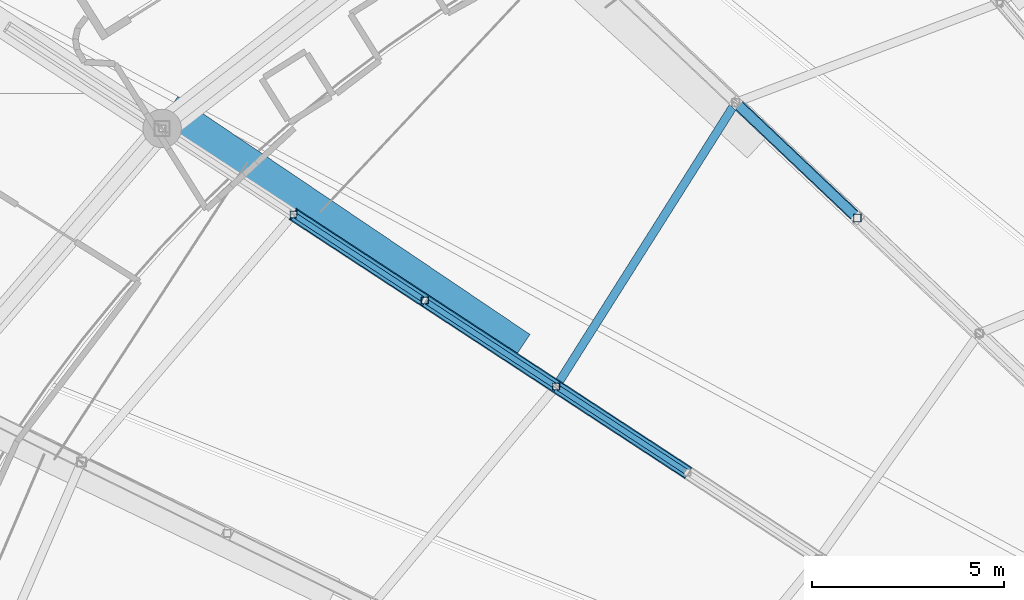
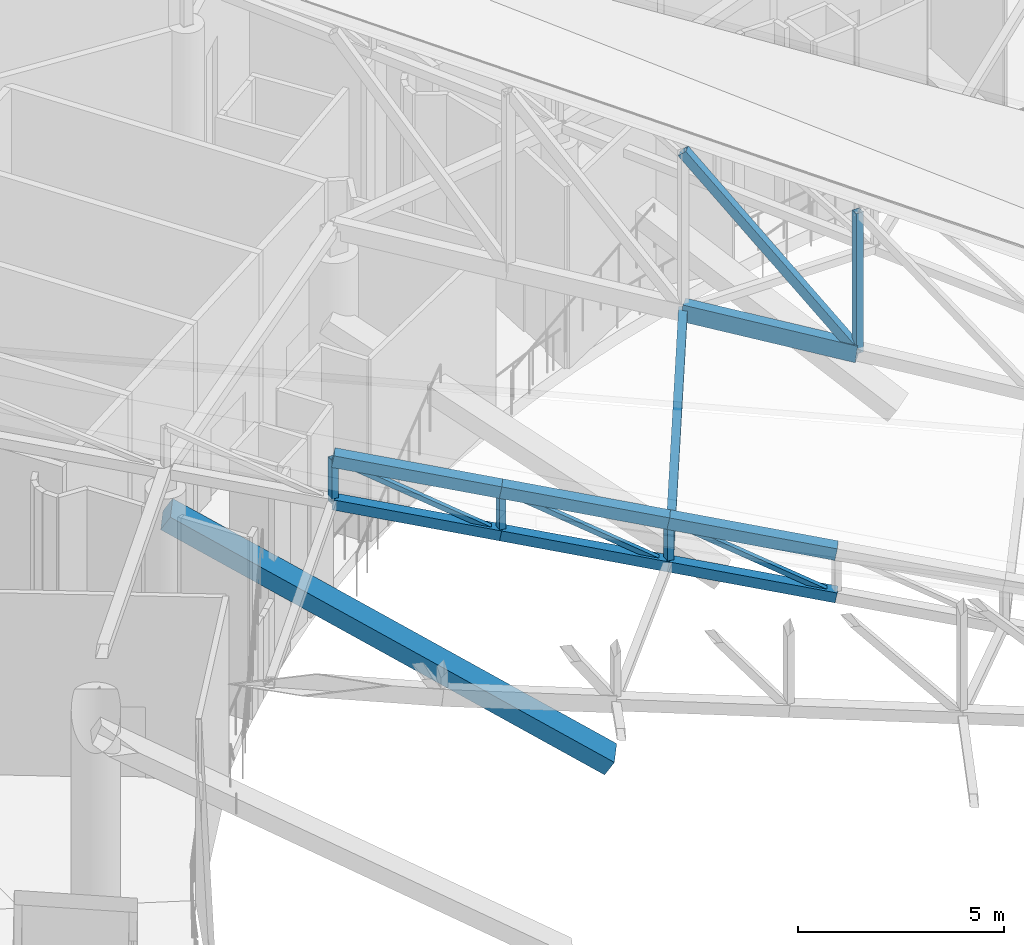
# One storey, part 136 of 344: 16 members, 1 beam.
"""IFC4 building model written with IfcOpenShell, lengths in metres."""

import ifcopenshell
import ifcopenshell.guid

model = None  # the IFC model being written
_history = None  # IfcOwnerHistory: only IFC2X3 demands one
_inside = {}  # id of a spatial element -> (the spatial element, [elements in it])
_under = {}  # id of a project, library or spatial element -> (it, [spatial elements below it])
_declared = {}  # id of a project -> (the project, [libraries it declares])
_typed = {}  # id of a type object -> (the type object, [elements of that type])
_made_of = {}  # id of a material, layer set ... -> (it, [elements and type objects made of it])


def new_model(schema):
    """Start an empty IFC model of exactly this schema.

    Asked for "IFC4X3", IfcOpenShell would pick the latest addendum, in which some entities
    have other attributes; the version numbers below select the first issue.
    IFC2X3 requires an IfcOwnerHistory on every rooted entity: one is made here for all.
    """
    global model, _history
    if schema == "IFC4X3":
        model = ifcopenshell.file(schema_version=(4, 3, 0, 0))
    else:
        model = ifcopenshell.file(schema=schema)
    _inside.clear()
    _under.clear()
    _declared.clear()
    _typed.clear()
    _made_of.clear()
    _history = None
    if model.schema == "IFC2X3":
        org = make("IfcOrganization", Name="unknown")
        user = make(
            "IfcPersonAndOrganization",
            ThePerson=make("IfcPerson", FamilyName="unknown"),
            TheOrganization=org,
        )
        app = make(
            "IfcApplication",
            ApplicationDeveloper=org,
            Version="unknown",
            ApplicationFullName="unknown",
            ApplicationIdentifier="unknown",
        )
        _history = make(
            "IfcOwnerHistory",
            OwningUser=user,
            OwningApplication=app,
            ChangeAction="ADDED",
            CreationDate=0,
        )
    return model


def make(cls, **values):
    """One entity of the class cls with the attributes given. An attribute that is None is left unset."""
    return model.create_entity(
        cls, **{name: value for name, value in values.items() if value is not None}
    )


def rooted(cls, **values):
    """An entity with a GlobalId (a new one), such as an element, a storey or a relation."""
    return make(cls, GlobalId=ifcopenshell.guid.new(), OwnerHistory=_history, **values)


def si_unit(unit_type, name, prefix=None):
    """IfcSIUnit, for example si_unit("LENGTHUNIT", "METRE", prefix="MILLI")."""
    return make("IfcSIUnit", UnitType=unit_type, Prefix=prefix, Name=name)


def assignment(units):
    """IfcUnitAssignment: the units of a project."""
    return None if units is None else make("IfcUnitAssignment", Units=units)


def point(xyz):
    """IfcCartesianPoint."""
    return None if xyz is None else make("IfcCartesianPoint", Coordinates=xyz)


def direction(xyz):
    """IfcDirection."""
    return None if xyz is None else make("IfcDirection", DirectionRatios=xyz)


def frame(location, z_axis=None, x_axis=None):
    """IfcAxis2Placement3D, a coordinate frame: its origin and axes. An axis left out is left unset."""
    return make(
        "IfcAxis2Placement3D",
        Location=point(location),
        Axis=direction(z_axis),
        RefDirection=direction(x_axis),
    )


def frame_2d(location, x_axis=None):
    """IfcAxis2Placement2D, a coordinate frame in the plane: its origin and x axis."""
    return make(
        "IfcAxis2Placement2D", Location=point(location), RefDirection=direction(x_axis)
    )


def origin():
    """The frame at (0, 0, 0) with its axes left unset."""
    return frame((0.0, 0.0, 0.0))


def origin_2d():
    """The frame at (0, 0) in the plane with its x axis left unset."""
    return frame_2d((0.0, 0.0))


def place(relative_to, where):
    """IfcLocalPlacement: puts the frame where relative to a parent placement (None: the world)."""
    return make(
        "IfcLocalPlacement", PlacementRelTo=relative_to, RelativePlacement=where
    )


def context(
    kind, dimensions, precision=None, world=None, true_north=None, identifier=None
):
    """IfcGeometricRepresentationContext, for example the 3D "Model" context."""
    return make(
        "IfcGeometricRepresentationContext",
        ContextIdentifier=identifier,
        ContextType=kind,
        CoordinateSpaceDimension=dimensions,
        Precision=precision,
        WorldCoordinateSystem=world,
        TrueNorth=true_north,
    )


def subcontext(parent, identifier, kind, view, scale=None):
    """IfcGeometricRepresentationSubContext, for example "Body" below "Model"."""
    return make(
        "IfcGeometricRepresentationSubContext",
        ContextIdentifier=identifier,
        ContextType=kind,
        ParentContext=parent,
        TargetScale=scale,
        TargetView=view,
    )


def project(units=None, contexts=None):
    """IfcProject with its units and contexts."""
    return rooted(
        "IfcProject",
        Name="project",
        RepresentationContexts=contexts,
        UnitsInContext=assignment(units),
    )


def spatial(cls, under=None, at=None, **own):
    """A site, building, storey or space (cls), placed at a placement, below another one or the project."""
    s = rooted(cls, ObjectPlacement=at, **own)
    if under is not None:
        _under.setdefault(under.id(), (under, []))[1].append(s)
    return s


def profile(cls, at=None, kind="AREA", **sizes):
    """A parametric profile (cls). Its sizes go by their IFC names, for example OverallWidth=200.0."""
    return make(cls, ProfileType=kind, Position=at, **sizes)


def rectangle(**sizes):
    """IfcRectangleProfileDef."""
    return profile("IfcRectangleProfileDef", **sizes)


def hollow_rectangle(**sizes):
    """IfcRectangleHollowProfileDef."""
    return profile("IfcRectangleHollowProfileDef", **sizes)


def extrude(swept, where, along, depth):
    """IfcExtrudedAreaSolid: the profile swept, set in the frame where, extruded along a direction by depth."""
    return make(
        "IfcExtrudedAreaSolid",
        SweptArea=swept,
        Position=where,
        ExtrudedDirection=direction(along),
        Depth=depth,
    )


def shape(context_of_items, identifier, shape_type, items):
    """IfcShapeRepresentation: the items that make up one representation, for example the "Body"."""
    return make(
        "IfcShapeRepresentation",
        ContextOfItems=context_of_items,
        RepresentationIdentifier=identifier,
        RepresentationType=shape_type,
        Items=items,
    )


def material(Name=None, Category=None):
    """IfcMaterial."""
    return make("IfcMaterial", Name=Name, Category=Category)


def material_profile(
    of_material, cross_section, Name=None, Category=None, Priority=None
):
    """IfcMaterialProfile: a cross section and its material."""
    return make(
        "IfcMaterialProfile",
        Name=Name,
        Material=of_material,
        Profile=cross_section,
        Priority=Priority,
        Category=Category,
    )


def profile_set(profiles, Name=None, composite=None):
    """IfcMaterialProfileSet."""
    return make(
        "IfcMaterialProfileSet",
        Name=Name,
        MaterialProfiles=profiles,
        CompositeProfile=composite,
    )


def made_of(thing, what):
    """Note that an element or type object is made of a material, layer set ...; save() writes the relation."""
    if what is not None:
        _made_of.setdefault(what.id(), (what, []))[1].append(thing)
    return thing


def type_object(cls, material=None, **own):
    """A type object (cls), such as IfcWallType, which elements share."""
    return made_of(rooted(cls, **own), material)


def element(
    cls,
    number,
    at=None,
    inside=None,
    cuts=None,
    type_object=None,
    material=None,
    context=None,
    identifier="Body",
    shape_type=None,
    held_by="IfcProductDefinitionShape",
    body=None,
    shapes=None,
    **own,
):
    """One element of the class cls, such as IfcWall. Its Tag is "e" and its number.

    at: its placement. inside: the storey or other place that contains it. cuts: it is an
    opening in that element (IfcRelVoidsElement). A single representation is given by context,
    identifier, shape_type and body (its items); several are given by shapes. held_by: the class
    of the entity that holds the representations. save() writes the other relations.
    """
    e = rooted(cls, Tag="e%d" % number, ObjectPlacement=at, **own)
    if body is not None:
        shapes = [shape(context, identifier, shape_type, body)]
    if shapes is not None:
        e.Representation = make(held_by, Representations=shapes)
    if inside is not None:
        _inside.setdefault(inside.id(), (inside, []))[1].append(e)
    if cuts is not None:
        rooted(
            "IfcRelVoidsElement", RelatingBuildingElement=cuts, RelatedOpeningElement=e
        )
    if type_object is not None:
        _typed.setdefault(type_object.id(), (type_object, []))[1].append(e)
    return made_of(e, material)


def aggregate(whole, parts):
    """IfcRelAggregates: a whole, such as a stair, and the parts it consists of."""
    return rooted("IfcRelAggregates", RelatingObject=whole, RelatedObjects=parts)


def save(model, path):
    """Write the relations noted so far, then the file.

    IfcRelAggregates (storeys below a building ...), IfcRelContainedInSpatialStructure (elements
    in a storey), IfcRelDefinesByType, IfcRelAssociatesMaterial and IfcRelDeclares: one each for
    every whole, place, type object, material and project.
    """
    for whole, parts in _under.values():
        aggregate(whole, parts)
    for where, things in _inside.values():
        rooted(
            "IfcRelContainedInSpatialStructure",
            RelatedElements=things,
            RelatingStructure=where,
        )
    for kind, things in _typed.values():
        rooted("IfcRelDefinesByType", RelatedObjects=things, RelatingType=kind)
    for what, things in _made_of.values():
        rooted("IfcRelAssociatesMaterial", RelatedObjects=things, RelatingMaterial=what)
    for by, libraries in _declared.values():
        rooted("IfcRelDeclares", RelatingContext=by, RelatedDefinitions=libraries)
    model.write(path)


model = new_model("IFC4")

# Units and contexts
model_context = context("Model", 3, precision=1e-05, world=origin(), true_north=direction((0.0, 1.0)))
body_context = subcontext(model_context, "Body", "Model", "MODEL_VIEW")
ifc_project = project(units=[si_unit("LENGTHUNIT", "METRE"), si_unit("AREAUNIT", "SQUARE_METRE"), si_unit("VOLUMEUNIT", "CUBIC_METRE"), si_unit("PLANEANGLEUNIT", "RADIAN"), si_unit("MASSUNIT", "GRAM", prefix="KILO")], contexts=[model_context])

# Site, building, storey
site_placement = place(None, origin())
site = spatial("IfcSite", under=ifc_project, at=site_placement, CompositionType="ELEMENT")
building_placement = place(site_placement, origin())
building = spatial("IfcBuilding", under=site, at=building_placement, Name="Meseta Stadium", CompositionType="ELEMENT")
storey_placement = place(building_placement, frame((0.0, 0.0, 24.0)))
storey = spatial("IfcBuildingStorey", under=building, at=storey_placement, Name="L04", CompositionType="ELEMENT", Elevation=24.0)

# Beam
ifc_material_1 = material(Name="Concrete C40/50", Category="concrete")
ifc_material_profile_1 = material_profile(ifc_material_1, rectangle(XDim=0.800048828125, YDim=0.449951171875, at=origin_2d()), Name="RC 800x450")
ifc_profile_set_1 = profile_set([ifc_material_profile_1], Name="Concrete C40/50")
beam_type = type_object("IfcBeamType", Name="RC raker upper rear 800x450", PredefinedType="USERDEFINED", material=ifc_profile_set_1)
beam_placement = place(storey_placement, frame((-63.068115234375, 73.469970703125, -1.89404296875), z_axis=(-0.703356871616, 0.474805643878, 0.529007288883), x_axis=(-0.5595050383, -0.82882694944, 0.0)))
element("IfcBeam", 1, at=beam_placement, inside=storey, type_object=beam_type, Name="Raker upper rear frame 25 upper tier", ObjectType="RAKER", PredefinedType="USERDEFINED", context=body_context, shape_type="SweptSolid", body=[
    extrude(rectangle(XDim=0.800048828125, YDim=0.449951171875, at=origin_2d()), origin(), (0.0, 0.0, 1.0), 12.74267578125),
])

# Members
ifc_material_2 = material(Name="Steel S355", Category="steel")
ifc_material_profile_2 = material_profile(ifc_material_2, hollow_rectangle(XDim=0.300048828125, YDim=0.5, WallThickness=0.01611328125, at=origin_2d()), Name="RHS 500x300x16")
ifc_profile_set_2 = profile_set([ifc_material_profile_2], Name="Steel S355")
member_type_1 = type_object("IfcMemberType", Name="RHS 500x300x16 bottom chord", PredefinedType="CHORD", material=ifc_profile_set_2)
member_1_placement = place(storey_placement, frame((-54.234375, 76.763916015625, 5.120361328125), z_axis=(-0.720600756973, 0.683475868368, 0.116598826788), x_axis=(-0.688169809663, -0.725549662717, 0.0)))
element("IfcMember", 2, at=member_1_placement, inside=storey, type_object=member_type_1, Name="ROOF TRUSS RT-24 bottom chord", PredefinedType="CHORD", context=body_context, shape_type="SweptSolid", body=[
    extrude(hollow_rectangle(XDim=0.300048828125, YDim=0.5, WallThickness=0.01611328125, at=origin_2d()), origin(), (0.0, 0.0, 1.0), 4.392822265625),
])
ifc_material_3 = material(Name="Steel S355", Category="steel")
ifc_material_profile_3 = material_profile(ifc_material_3, hollow_rectangle(XDim=0.139892578125, YDim=0.139892578125, WallThickness=0.0048828125, at=origin_2d()), Name="SHS 140x140x5")
ifc_profile_set_3 = profile_set([ifc_material_profile_3], Name="Steel S355")
member_type_2 = type_object("IfcMemberType", Name="SHS 140x140x5 diagonal", PredefinedType="BRACE", material=ifc_profile_set_3)
for number, where, z_axis, x_axis, name in (
    (3, (-58.653076171875, 70.1455078125, 3.464599609375), (-0.746917635794, 0.489151751188, 0.450382736847), (-0.547863186454, -0.836567946391, 0.0), "ROOF TRUSS RT-25 diagonal"),
    (4, (-62.06787109375, 72.3818359375, 4.2236328125), (-0.746876059854, 0.4891594958, 0.450443269331), (-0.547890600116, -0.836549992711, 0.0), "ROOF TRUSS RT-25 diagonal"),
):
    element("IfcMember", number, at=place(storey_placement, frame(where, z_axis=z_axis, x_axis=x_axis)), inside=storey, type_object=member_type_2, Name=name, PredefinedType="BRACE", context=body_context, shape_type="SweptSolid", body=[
        extrude(hollow_rectangle(XDim=0.139892578125, YDim=0.139892578125, WallThickness=0.0048828125, at=origin_2d()), origin(), (0.0, 0.0, 1.0), 4.57177734375),
    ])
member_2_placement = place(storey_placement, frame((-65.482421875, 74.6181640625, 4.98291015625), z_axis=(-0.74689812517, 0.489192373252, 0.450370972166), x_axis=(-0.547905042456, -0.836540533657, 0.0)))
element("IfcMember", 5, at=member_2_placement, inside=storey, type_object=member_type_2, Name="ROOF TRUSS RT-25 diagonal", PredefinedType="BRACE", context=body_context, shape_type="SweptSolid", body=[
    extrude(hollow_rectangle(XDim=0.139892578125, YDim=0.139892578125, WallThickness=0.0048828125, at=origin_2d()), origin(), (0.0, 0.0, 1.0), 4.572021484375),
])
ifc_material_4 = material(Name="Steel S355", Category="steel")
ifc_material_profile_4 = material_profile(ifc_material_4, hollow_rectangle(XDim=0.179931640625, YDim=0.179931640625, WallThickness=0.00634765625, at=origin_2d()), Name="SHS 180x180x6.3")
ifc_profile_set_4 = profile_set([ifc_material_profile_4], Name="Steel S355")
member_type_3 = type_object("IfcMemberType", Name="SHS 180x180x6.3 post", PredefinedType="POST", material=ifc_profile_set_4)
for number, where, z_axis, x_axis, name in (
    (6, (-62.06787109375, 72.3818359375, 4.2236328125), (0.0, 0.0, 1.0), (1.0, 0.0, 0.0), "ROOF TRUSS RT-25 post"),
    (7, (-65.482421875, 74.6181640625, 4.98291015625), (0.0, 0.0, 1.0), (1.0, 0.0, 0.0), "ROOF TRUSS RT-25 post"),
):
    element("IfcMember", number, at=place(storey_placement, frame(where, z_axis=z_axis, x_axis=x_axis)), inside=storey, type_object=member_type_3, Name=name, PredefinedType="POST", context=body_context, shape_type="SweptSolid", body=[
        extrude(hollow_rectangle(XDim=0.179931640625, YDim=0.179931640625, WallThickness=0.00634765625, at=origin_2d()), origin(), (0.0, 0.0, 1.0), 1.300048828125),
    ])
member_3_placement = place(storey_placement, frame((-68.897216796875, 76.854736328125, 5.7421875), z_axis=(0.0, 0.0, 1.0), x_axis=(1.0, 0.0, 0.0)))
element("IfcMember", 8, at=member_3_placement, inside=storey, type_object=member_type_3, Name="ROOF TRUSS RT-25 post", PredefinedType="POST", context=body_context, shape_type="SweptSolid", body=[
    extrude(hollow_rectangle(XDim=0.179931640625, YDim=0.179931640625, WallThickness=0.00634765625, at=origin_2d()), origin(), (0.0, 0.0, 1.0), 1.2998046875),
])
ifc_material_5 = material(Name="Steel S355", Category="steel")
ifc_material_profile_5 = material_profile(ifc_material_5, hollow_rectangle(XDim=0.199951171875, YDim=0.199951171875, WallThickness=0.008056640625, at=origin_2d()), Name="SHS 200x200x8")
ifc_profile_set_5 = profile_set([ifc_material_profile_5], Name="Steel S355")
member_type_4 = type_object("IfcMemberType", Name="SHS 200x200x8 post", PredefinedType="POST", material=ifc_profile_set_5)
member_4_placement = place(storey_placement, frame((-54.234375, 76.763916015625, 5.120361328125), z_axis=(0.0, 0.0, 1.0), x_axis=(1.0, 0.0, 0.0)))
element("IfcMember", 9, at=member_4_placement, inside=storey, type_object=member_type_4, Name="ROOF TRUSS RT-24 post", PredefinedType="POST", context=body_context, shape_type="SweptSolid", body=[
    extrude(hollow_rectangle(XDim=0.199951171875, YDim=0.199951171875, WallThickness=0.008056640625, at=origin_2d()), origin(), (0.0, 0.0, 1.0), 4.16064453125),
])
ifc_material_6 = material(Name="Steel S355", Category="steel")
ifc_material_profile_6 = material_profile(ifc_material_6, hollow_rectangle(XDim=0.219970703125, YDim=0.219970703125, WallThickness=0.008056640625, at=origin_2d()), Name="SHS 220x220x8")
ifc_profile_set_6 = profile_set([ifc_material_profile_6], Name="Steel S355")
member_type_5 = type_object("IfcMemberType", Name="SHS 220x220x8 strut", PredefinedType="STRUT", material=ifc_profile_set_6)
member_5_placement = place(storey_placement, frame((-57.39990234375, 79.766357421875, 5.632568359375), z_axis=(-0.527509026321, -0.834496104557, -0.159218336344), x_axis=(0.845278994635, -0.534325201753, 0.0)))
element("IfcMember", 10, at=member_5_placement, inside=storey, type_object=member_type_5, Name="ROOF TRUSS STRUT RT-24/25", PredefinedType="STRUT", context=body_context, shape_type="SweptSolid", body=[
    extrude(hollow_rectangle(XDim=0.219970703125, YDim=0.219970703125, WallThickness=0.008056640625, at=origin_2d()), origin(), (0.0, 0.0, 1.0), 8.84912109375),
])
ifc_material_7 = material(Name="Steel S355", Category="steel")
ifc_material_profile_7 = material_profile(ifc_material_7, hollow_rectangle(XDim=0.25, YDim=0.25, WallThickness=0.010009765625, at=origin_2d()), Name="SHS 250x250x10")
ifc_profile_set_7 = profile_set([ifc_material_profile_7], Name="Steel S355")
member_type_6 = type_object("IfcMemberType", Name="SHS 250x250x10 diagonal", PredefinedType="BRACE", material=ifc_profile_set_7)
member_6_placement = place(storey_placement, frame((-54.234375, 76.763916015625, 5.120361328125), z_axis=(-0.465019106638, 0.441061620656, 0.767607892902), x_axis=(-0.688169809663, -0.725549662717, 0.0)))
element("IfcMember", 11, at=member_6_placement, inside=storey, type_object=member_type_6, Name="ROOF TRUSS RT-24 diagonal", PredefinedType="BRACE", context=body_context, shape_type="SweptSolid", body=[
    extrude(hollow_rectangle(XDim=0.25, YDim=0.25, WallThickness=0.010009765625, at=origin_2d()), origin(), (0.0, 0.0, 1.0), 6.807373046875),
])
ifc_material_8 = material(Name="Steel S355", Category="steel")
ifc_material_profile_8 = material_profile(ifc_material_8, hollow_rectangle(XDim=0.300048828125, YDim=0.300048828125, WallThickness=0.010009765625, at=origin_2d()), Name="SHS 300x300x10")
ifc_profile_set_8 = profile_set([ifc_material_profile_8], Name="Steel S355")
member_type_7 = type_object("IfcMemberType", Name="SHS 300x300x10 bottom chord", PredefinedType="CHORD", material=ifc_profile_set_8)
member_7_placement = place(storey_placement, frame((-58.653076171875, 70.1455078125, 3.464599609375), z_axis=(-0.822469281869, 0.538630058048, 0.182816686733), x_axis=(-0.547863186454, -0.836567946391, 0.0)))
element("IfcMember", 12, at=member_7_placement, inside=storey, type_object=member_type_7, Name="ROOF TRUSS RT-25 bottom chord", PredefinedType="CHORD", context=body_context, shape_type="SweptSolid", body=[
    extrude(hollow_rectangle(XDim=0.300048828125, YDim=0.300048828125, WallThickness=0.010009765625, at=origin_2d()), origin(), (0.0, 0.0, 1.0), 4.15185546875),
])
member_8_placement = place(storey_placement, frame((-62.06787109375, 72.3818359375, 4.2236328125), z_axis=(-0.822441411781, 0.538650316882, 0.182882367413), x_axis=(-0.547890600116, -0.836549992711, 0.0)))
element("IfcMember", 13, at=member_8_placement, inside=storey, type_object=member_type_7, Name="ROOF TRUSS RT-25 bottom chord", PredefinedType="CHORD", context=body_context, shape_type="SweptSolid", body=[
    extrude(hollow_rectangle(XDim=0.300048828125, YDim=0.300048828125, WallThickness=0.010009765625, at=origin_2d()), origin(), (0.0, 0.0, 1.0), 4.151611328125),
])
member_9_placement = place(storey_placement, frame((-65.482421875, 74.6181640625, 4.98291015625), z_axis=(-0.822434389791, 0.538666007355, 0.182867730911), x_axis=(-0.547905042456, -0.836540533657, 0.0)))
element("IfcMember", 14, at=member_9_placement, inside=storey, type_object=member_type_7, Name="ROOF TRUSS RT-25 bottom chord", PredefinedType="CHORD", context=body_context, shape_type="SweptSolid", body=[
    extrude(hollow_rectangle(XDim=0.300048828125, YDim=0.300048828125, WallThickness=0.010009765625, at=origin_2d()), origin(), (0.0, 0.0, 1.0), 4.152099609375),
])
ifc_material_9 = material(Name="Steel S355", Category="steel")
ifc_material_profile_9 = material_profile(ifc_material_9, hollow_rectangle(XDim=0.35009765625, YDim=0.35009765625, WallThickness=0.010009765625, at=origin_2d()), Name="SHS 350x350x10")
ifc_profile_set_9 = profile_set([ifc_material_profile_9], Name="Steel S355")
member_type_8 = type_object("IfcMemberType", Name="SHS 350x350x10 top chord", PredefinedType="CHORD", material=ifc_profile_set_9)
member_10_placement = place(storey_placement, frame((-58.653076171875, 70.1455078125, 4.7646484375), z_axis=(-0.822469281869, 0.538630058048, 0.182816686733), x_axis=(-0.547863186454, -0.836567946391, 0.0)))
element("IfcMember", 15, at=member_10_placement, inside=storey, type_object=member_type_8, Name="ROOF TRUSS RT-25 top chord", PredefinedType="CHORD", context=body_context, shape_type="SweptSolid", body=[
    extrude(hollow_rectangle(XDim=0.35009765625, YDim=0.35009765625, WallThickness=0.010009765625, at=origin_2d()), origin(), (0.0, 0.0, 1.0), 4.15185546875),
])
member_11_placement = place(storey_placement, frame((-62.06787109375, 72.3818359375, 5.523681640625), z_axis=(-0.822441411781, 0.538650316882, 0.182882367413), x_axis=(-0.547890600116, -0.836549992711, 0.0)))
element("IfcMember", 16, at=member_11_placement, inside=storey, type_object=member_type_8, Name="ROOF TRUSS RT-25 top chord", PredefinedType="CHORD", context=body_context, shape_type="SweptSolid", body=[
    extrude(hollow_rectangle(XDim=0.35009765625, YDim=0.35009765625, WallThickness=0.010009765625, at=origin_2d()), origin(), (0.0, 0.0, 1.0), 4.151611328125),
])
member_12_placement = place(storey_placement, frame((-65.482421875, 74.6181640625, 6.282958984375), z_axis=(-0.822443231826, 0.538671798581, 0.182810896386), x_axis=(-0.547905042456, -0.836540533657, 0.0)))
element("IfcMember", 17, at=member_12_placement, inside=storey, type_object=member_type_8, Name="ROOF TRUSS RT-25 top chord", PredefinedType="CHORD", context=body_context, shape_type="SweptSolid", body=[
    extrude(hollow_rectangle(XDim=0.35009765625, YDim=0.35009765625, WallThickness=0.010009765625, at=origin_2d()), origin(), (0.0, 0.0, 1.0), 4.152099609375),
])

save(model, "model.ifc")
